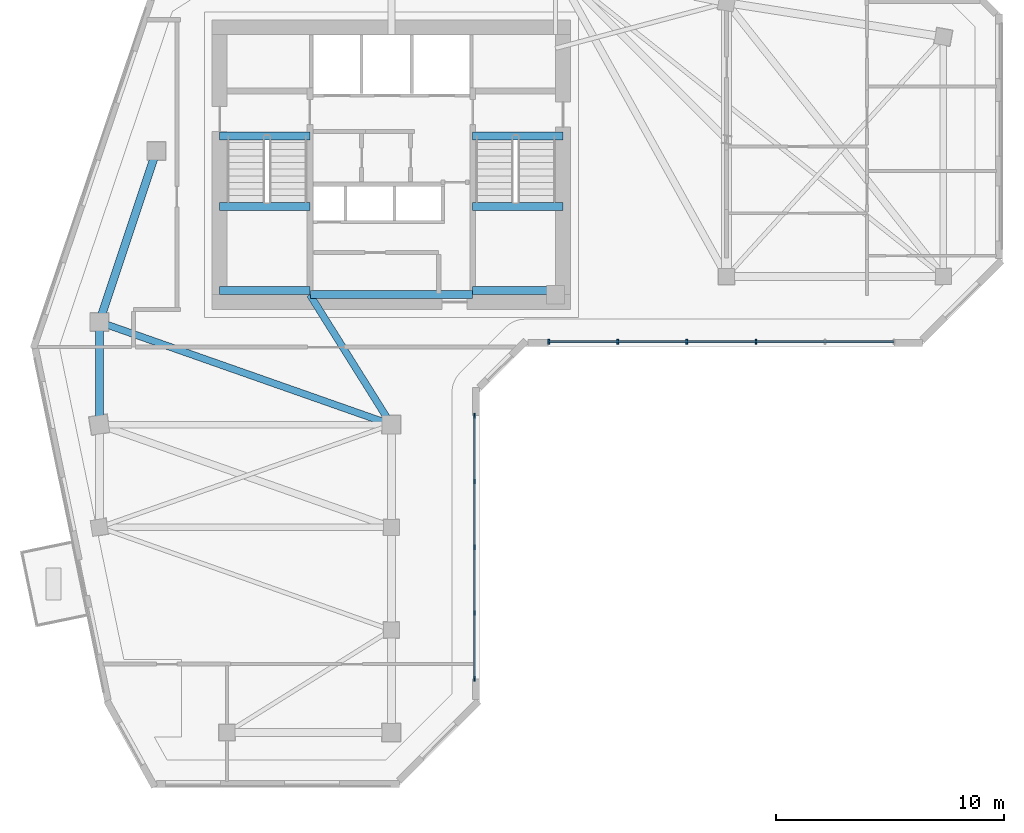
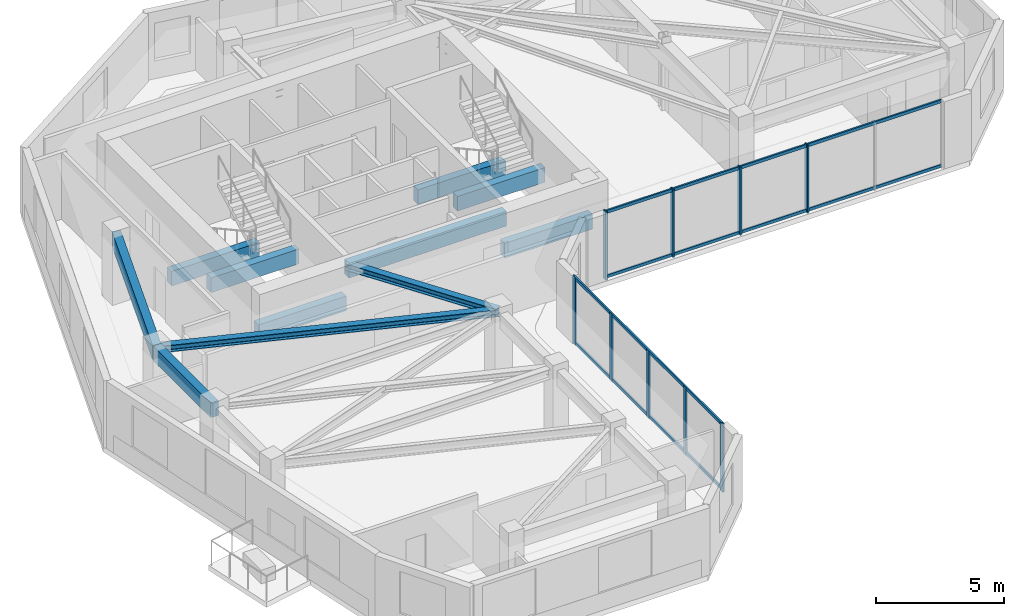
# One storey, part 2 of 10: 13 members, 11 beams, 2 elements without a shape of their own.
"""IFC4 building model written with IfcOpenShell, lengths in metres."""

from ifc_helpers import new_model, si_unit, direction, frame, origin, origin_2d, place, context, subcontext, project, spatial, rectangle, i_section, extrude, source, transform, mapped, material, material_profile, profile_set, type_object, element, aggregate, save


model = new_model("IFC4")

# Units and contexts
model_context = context("Model", 3, precision=1e-05, world=origin(), true_north=direction((0.0, 1.0)))
body_context = subcontext(model_context, "Body", "Model", "MODEL_VIEW")
ifc_project = project(units=[si_unit("LENGTHUNIT", "METRE"), si_unit("AREAUNIT", "SQUARE_METRE"), si_unit("VOLUMEUNIT", "CUBIC_METRE"), si_unit("PLANEANGLEUNIT", "RADIAN"), si_unit("MASSUNIT", "GRAM", prefix="KILO")], contexts=[model_context])

# Site, building, storey
site_placement = place(None, origin())
site = spatial("IfcSite", under=ifc_project, at=site_placement, CompositionType="ELEMENT")
building_placement = place(site_placement, origin())
building = spatial("IfcBuilding", under=site, at=building_placement, Name="Calvemar Wedge Station Tower", CompositionType="ELEMENT")
storey_placement = place(building_placement, frame((0.0, 0.0, 207.89990234375)))
storey = spatial("IfcBuildingStorey", under=building, at=storey_placement, Name="L52", CompositionType="ELEMENT", Elevation=207.89990234375)

# Beams
ifc_material_1 = material(Name="Concrete C70", Category="concrete")
ifc_material_profile_1 = material_profile(ifc_material_1, rectangle(XDim=0.35009765625, YDim=0.699951171875, at=origin_2d()), Name="RC350x700")
ifc_profile_set_1 = profile_set([ifc_material_profile_1], Name="Concrete C70")
beam_type_1 = type_object("IfcBeamType", Name="BM-LN1-700", PredefinedType="LINTEL", material=ifc_profile_set_1)
shared_shape_1 = source(origin(), body_context, "Body", "SweptSolid", [
    extrude(rectangle(XDim=0.35009765625, YDim=0.699951171875, at=origin_2d()), origin(), (0.0, 0.0, 1.0), 7.10009765625),
])
beam_1_placement = place(storey_placement, frame((20.25, 34.199951171875, 2.85009765625), z_axis=(1.0, 0.0, 0.0), x_axis=(0.0, 1.0, 0.0)))
element("IfcBeam", 1, at=beam_1_placement, inside=storey, type_object=beam_type_1, Name="Storey L52 Core Coupling Lintel South", PredefinedType="LINTEL", context=body_context, shape_type="MappedRepresentation", body=[
    mapped(shared_shape_1, transform((0.0, 0.0, 0.0), scale=1.0)),
])
ifc_material_2 = material(Name="Structural steel ASTM A572 Grade 50", Category="steel")
ifc_material_profile_2 = material_profile(ifc_material_2, i_section(OverallWidth=0.30908203125, OverallDepth=0.322998046875, WebThickness=0.013916015625, FlangeThickness=0.02294921875, FilletRadius=0.014892578125, at=origin_2d()), Name="W310x143")
ifc_profile_set_2 = profile_set([ifc_material_profile_2], Name="Structural steel ASTM A572 Grade 50")
beam_type_2 = type_object("IfcBeamType", Name="BM-J5-W310H", PredefinedType="JOIST", material=ifc_profile_set_2)
shared_shape_2 = source(origin(), body_context, "Body", "SweptSolid", [
    extrude(i_section(OverallWidth=0.30908203125, OverallDepth=0.322998046875, WebThickness=0.013916015625, FlangeThickness=0.02294921875, FilletRadius=0.014892578125, at=origin_2d()), origin(), (0.0, 0.0, 1.0), 13.568115234375),
])
beam_2_placement = place(storey_placement, frame((11.0, 33.0, 3.03857421875), z_axis=(0.943398221169, -0.331662171939, 0.0), x_axis=(0.331662171939, 0.943398221169, 0.0)))
element("IfcBeam", 2, at=beam_2_placement, inside=storey, type_object=beam_type_2, Name="Storey L52 Floor Beam T-NW1-T-SE1", PredefinedType="JOIST", context=body_context, shape_type="MappedRepresentation", body=[
    mapped(shared_shape_2, transform((0.0, 0.0, 0.0), scale=1.0)),
])
shared_shape_3 = source(origin(), body_context, "Body", "SweptSolid", [
    extrude(i_section(OverallWidth=0.30908203125, OverallDepth=0.322998046875, WebThickness=0.013916015625, FlangeThickness=0.02294921875, FilletRadius=0.014892578125, at=origin_2d()), origin(), (0.0, 0.0, 1.0), 6.7255859375),
])
beam_3_placement = place(storey_placement, frame((20.22998046875, 34.199951171875, 3.03857421875), z_axis=(0.530811158438, -0.847490126242, 0.0), x_axis=(0.847490126242, 0.530811158438, 0.0)))
element("IfcBeam", 3, at=beam_3_placement, inside=storey, type_object=beam_type_2, Name="Storey L52 Core-to-Column Joist CJ-S2", PredefinedType="JOIST", context=body_context, shape_type="MappedRepresentation", body=[
    mapped(shared_shape_3, transform((0.0, 0.0, 0.0), scale=1.0)),
])
shared_shape_4 = source(origin(), body_context, "Body", "SweptSolid", [
    extrude(rectangle(XDim=0.35009765625, YDim=0.699951171875, at=origin_2d()), origin(), (0.0, 0.0, 1.0), 3.955078125),
])
for number, where, z_axis, x_axis, name in (
    (4, (16.27490234375, 41.14990234375, -0.349853515625), (1.0, 0.0, 0.0), (0.0, 1.0, 0.0), "Storey L52 Stair ST-C1 Landing Trimmer Beam"),
    (5, (16.27490234375, 34.3798828125, 1.2001953125), (1.0, 0.0, 0.0), (0.0, 1.0, 0.0), "Storey L52 Stair ST-C1 Half-Landing Beam 1A"),
    (6, (16.27490234375, 38.070068359375, 1.2001953125), (1.0, 0.0, 0.0), (0.0, 1.0, 0.0), "Storey L52 Stair ST-C1 Half-Landing Beam 1B"),
):
    element("IfcBeam", number, at=place(storey_placement, frame(where, z_axis=z_axis, x_axis=x_axis)), inside=storey, type_object=beam_type_1, Name=name, PredefinedType="LINTEL", context=body_context, shape_type="MappedRepresentation", body=[
        mapped(shared_shape_4, transform((0.0, 0.0, 0.0), scale=1.0)),
    ])
shared_shape_5 = source(origin(), body_context, "Body", "SweptSolid", [
    extrude(rectangle(XDim=0.35009765625, YDim=0.699951171875, at=origin_2d()), origin(), (0.0, 0.0, 1.0), 3.954833984375),
])
for number, where, z_axis, x_axis, name in (
    (7, (27.3701171875, 41.14990234375, -0.349853515625), (1.0, 0.0, 0.0), (0.0, 1.0, 0.0), "Storey L52 Stair ST-C2 Landing Trimmer Beam"),
    (8, (27.3701171875, 34.3798828125, 1.2001953125), (1.0, 0.0, 0.0), (0.0, 1.0, 0.0), "Storey L52 Stair ST-C2 Half-Landing Beam 1A"),
    (9, (27.3701171875, 38.070068359375, 1.2001953125), (1.0, 0.0, 0.0), (0.0, 1.0, 0.0), "Storey L52 Stair ST-C2 Half-Landing Beam 1B"),
):
    element("IfcBeam", number, at=place(storey_placement, frame(where, z_axis=z_axis, x_axis=x_axis)), inside=storey, type_object=beam_type_1, Name=name, PredefinedType="LINTEL", context=body_context, shape_type="MappedRepresentation", body=[
        mapped(shared_shape_5, transform((0.0, 0.0, 0.0), scale=1.0)),
    ])
ifc_material_3 = material(Name="Concrete C50", Category="concrete")
ifc_material_profile_3 = material_profile(ifc_material_3, rectangle(XDim=0.35009765625, YDim=0.699951171875, at=origin_2d()), Name="RC350x700")
ifc_profile_set_3 = profile_set([ifc_material_profile_3], Name="Concrete C50")
beam_type_3 = type_object("IfcBeamType", Name="BM-SP2-700", PredefinedType="SPANDREL", material=ifc_profile_set_3)
shared_shape_6 = source(origin(), body_context, "Body", "SweptSolid", [
    extrude(rectangle(XDim=0.35009765625, YDim=0.699951171875, at=origin_2d()), origin(), (0.0, 0.0, 1.0), 7.90576171875),
])
beam_4_placement = place(storey_placement, frame((11.0, 33.0, 2.85009765625), z_axis=(0.316227766017, 0.948683298051, 0.0), x_axis=(-0.948683298051, 0.316227766017, 0.0)))
element("IfcBeam", 10, at=beam_4_placement, inside=storey, type_object=beam_type_3, Name="Storey L52 Spandrel T-NW1-T-NW2", PredefinedType="SPANDREL", context=body_context, shape_type="MappedRepresentation", body=[
    mapped(shared_shape_6, transform((0.0, 0.0, 0.0), scale=1.0)),
])
shared_shape_7 = source(origin(), body_context, "Body", "SweptSolid", [
    extrude(rectangle(XDim=0.35009765625, YDim=0.699951171875, at=origin_2d()), origin(), (0.0, 0.0, 1.0), 4.5),
])
beam_5_placement = place(storey_placement, frame((11.0, 33.0, 2.85009765625), z_axis=(0.0, -1.0, 0.0), x_axis=(1.0, 0.0, 0.0)))
element("IfcBeam", 11, at=beam_5_placement, inside=storey, type_object=beam_type_3, Name="Storey L52 Spandrel T-NW1-T-SW1", PredefinedType="SPANDREL", context=body_context, shape_type="MappedRepresentation", body=[
    mapped(shared_shape_7, transform((0.0, 0.0, 0.0), scale=1.0)),
])

# Curtain wall, members
ifc_material_4 = material(Name="Anodised aluminium 6063-T6", Category="aluminium")
curtain_wall_type = type_object("IfcCurtainWallType", Name="CW3", PredefinedType="NOTDEFINED", material=ifc_material_4)
curtain_wall_1_placement = place(storey_placement, origin())
curtain_wall_1 = element("IfcCurtainWall", 12, at=curtain_wall_1_placement, inside=storey, type_object=curtain_wall_type, Name="Storey L52 CW3 Recessed Unitised Curtain Wall 4", PredefinedType="NOTDEFINED")
ifc_material_profile_4 = material_profile(ifc_material_4, rectangle(XDim=0.074951171875, YDim=0.14501953125, at=origin_2d()), Name="AL-TRN-75x145")
ifc_profile_set_4 = profile_set([ifc_material_profile_4], Name="Anodised aluminium 6063-T6")
member_type_1 = type_object("IfcMemberType", Name="CW3-TRN", PredefinedType="USERDEFINED", material=ifc_profile_set_4)
shared_shape_8 = source(origin(), body_context, "Body", "SweptSolid", [
    extrude(rectangle(XDim=0.074951171875, YDim=0.14501953125, at=origin_2d()), origin(), (0.0, 0.0, 1.0), 11.52392578125),
])
member_1_placement = place(storey_placement, frame((27.4541015625, 17.362060546875, 0.06005859375), z_axis=(0.0, 1.0, 0.0), x_axis=(-1.0, 0.0, 0.0)))
member_1 = element("IfcMember", 13, at=member_1_placement, type_object=member_type_1, Name="CW3 transom 1", ObjectType="TRANSOM", PredefinedType="USERDEFINED", context=body_context, shape_type="MappedRepresentation", body=[
    mapped(shared_shape_8, transform((0.0, 0.0, 0.0), scale=1.0)),
])
member_2_placement = place(storey_placement, frame((27.4541015625, 17.362060546875, 3.14013671875), z_axis=(0.0, 1.0, 0.0), x_axis=(-1.0, 0.0, 0.0)))
member_2 = element("IfcMember", 14, at=member_2_placement, type_object=member_type_1, Name="CW3 transom 2", ObjectType="TRANSOM", PredefinedType="USERDEFINED", context=body_context, shape_type="MappedRepresentation", body=[
    mapped(shared_shape_8, transform((0.0, 0.0, 0.0), scale=1.0)),
])

curtain_wall_2_placement = place(storey_placement, origin())
curtain_wall_2 = element("IfcCurtainWall", 15, at=curtain_wall_2_placement, inside=storey, type_object=curtain_wall_type, Name="Storey L52 CW3 Recessed Unitised Curtain Wall 6", PredefinedType="NOTDEFINED")
shared_shape_9 = source(origin(), body_context, "Body", "SweptSolid", [
    extrude(rectangle(XDim=0.074951171875, YDim=0.14501953125, at=origin_2d()), origin(), (0.0, 0.0, 1.0), 15.135986328125),
])
member_3_placement = place(storey_placement, frame((30.701904296875, 32.134033203125, 0.06005859375), z_axis=(1.0, 0.0, 0.0), x_axis=(0.0, 1.0, 0.0)))
member_3 = element("IfcMember", 16, at=member_3_placement, type_object=member_type_1, Name="CW3 transom 1", ObjectType="TRANSOM", PredefinedType="USERDEFINED", context=body_context, shape_type="MappedRepresentation", body=[
    mapped(shared_shape_9, transform((0.0, 0.0, 0.0), scale=1.0)),
])
member_4_placement = place(storey_placement, frame((30.701904296875, 32.134033203125, 3.14013671875), z_axis=(1.0, 0.0, 0.0), x_axis=(0.0, 1.0, 0.0)))
member_4 = element("IfcMember", 17, at=member_4_placement, type_object=member_type_1, Name="CW3 transom 2", ObjectType="TRANSOM", PredefinedType="USERDEFINED", context=body_context, shape_type="MappedRepresentation", body=[
    mapped(shared_shape_9, transform((0.0, 0.0, 0.0), scale=1.0)),
])

# Member
ifc_material_profile_5 = material_profile(ifc_material_4, rectangle(XDim=0.074951171875, YDim=0.2099609375, at=origin_2d()), Name="AL-MUL-75x210")
ifc_profile_set_5 = profile_set([ifc_material_profile_5], Name="Anodised aluminium 6063-T6")
member_type_2 = type_object("IfcMemberType", Name="CW3-MUL", PredefinedType="MULLION", material=ifc_profile_set_5)
shared_shape_10 = source(origin(), body_context, "Body", "SweptSolid", [
    extrude(rectangle(XDim=0.074951171875, YDim=0.2099609375, at=origin_2d()), origin(), (0.0, 0.0, 1.0), 3.25),
])
member_5_placement = place(storey_placement, frame((27.4541015625, 17.362060546875, -0.0498046875), z_axis=(0.0, 0.0, 1.0), x_axis=(1.0, 0.0, 0.0)))
member_5 = element("IfcMember", 18, at=member_5_placement, type_object=member_type_2, Name="CW3 mullion 1", PredefinedType="MULLION", context=body_context, shape_type="MappedRepresentation", body=[
    mapped(shared_shape_10, transform((0.0, 0.0, 0.0), scale=1.0)),
])

member_6_placement = place(storey_placement, frame((27.4541015625, 20.2431640625, -0.0498046875), z_axis=(0.0, 0.0, 1.0), x_axis=(1.0, 0.0, 0.0)))
member_6 = element("IfcMember", 19, at=member_6_placement, type_object=member_type_2, Name="CW3 mullion 2", PredefinedType="MULLION", context=body_context, shape_type="MappedRepresentation", body=[
    mapped(shared_shape_10, transform((0.0, 0.0, 0.0), scale=1.0)),
])

member_7_placement = place(storey_placement, frame((27.4541015625, 23.1240234375, -0.0498046875), z_axis=(0.0, 0.0, 1.0), x_axis=(1.0, 0.0, 0.0)))
member_7 = element("IfcMember", 20, at=member_7_placement, type_object=member_type_2, Name="CW3 mullion 3", PredefinedType="MULLION", context=body_context, shape_type="MappedRepresentation", body=[
    mapped(shared_shape_10, transform((0.0, 0.0, 0.0), scale=1.0)),
])

member_8_placement = place(storey_placement, frame((27.4541015625, 26.005126953125, -0.0498046875), z_axis=(0.0, 0.0, 1.0), x_axis=(1.0, 0.0, 0.0)))
member_8 = element("IfcMember", 21, at=member_8_placement, type_object=member_type_2, Name="CW3 mullion 4", PredefinedType="MULLION", context=body_context, shape_type="MappedRepresentation", body=[
    mapped(shared_shape_10, transform((0.0, 0.0, 0.0), scale=1.0)),
])

member_9_placement = place(storey_placement, frame((27.4541015625, 28.885986328125, -0.0498046875), z_axis=(0.0, 0.0, 1.0), x_axis=(1.0, 0.0, 0.0)))
member_9 = element("IfcMember", 22, at=member_9_placement, type_object=member_type_2, Name="CW3 mullion 5", PredefinedType="MULLION", context=body_context, shape_type="MappedRepresentation", body=[
    mapped(shared_shape_10, transform((0.0, 0.0, 0.0), scale=1.0)),
])

aggregate(curtain_wall_1, [member_5, member_6, member_7, member_8, member_9, member_1, member_2])

member_10_placement = place(storey_placement, frame((30.701904296875, 32.134033203125, -0.0498046875), z_axis=(0.0, 0.0, 1.0), x_axis=(1.0, 0.0, 0.0)))
member_10 = element("IfcMember", 23, at=member_10_placement, type_object=member_type_2, Name="CW3 mullion 1", PredefinedType="MULLION", context=body_context, shape_type="MappedRepresentation", body=[
    mapped(shared_shape_10, transform((0.0, 0.0, 0.0), scale=1.0)),
])

member_11_placement = place(storey_placement, frame((33.72900390625, 32.134033203125, -0.0498046875), z_axis=(0.0, 0.0, 1.0), x_axis=(1.0, 0.0, 0.0)))
member_11 = element("IfcMember", 24, at=member_11_placement, type_object=member_type_2, Name="CW3 mullion 2", PredefinedType="MULLION", context=body_context, shape_type="MappedRepresentation", body=[
    mapped(shared_shape_10, transform((0.0, 0.0, 0.0), scale=1.0)),
])

member_12_placement = place(storey_placement, frame((36.75634765625, 32.134033203125, -0.0498046875), z_axis=(0.0, 0.0, 1.0), x_axis=(1.0, 0.0, 0.0)))
member_12 = element("IfcMember", 25, at=member_12_placement, type_object=member_type_2, Name="CW3 mullion 3", PredefinedType="MULLION", context=body_context, shape_type="MappedRepresentation", body=[
    mapped(shared_shape_10, transform((0.0, 0.0, 0.0), scale=1.0)),
])

member_13_placement = place(storey_placement, frame((39.783447265625, 32.134033203125, -0.0498046875), z_axis=(0.0, 0.0, 1.0), x_axis=(1.0, 0.0, 0.0)))
member_13 = element("IfcMember", 26, at=member_13_placement, type_object=member_type_2, Name="CW3 mullion 4", PredefinedType="MULLION", context=body_context, shape_type="MappedRepresentation", body=[
    mapped(shared_shape_10, transform((0.0, 0.0, 0.0), scale=1.0)),
])

aggregate(curtain_wall_2, [member_10, member_11, member_12, member_13, member_3, member_4])

save(model, "model.ifc")
